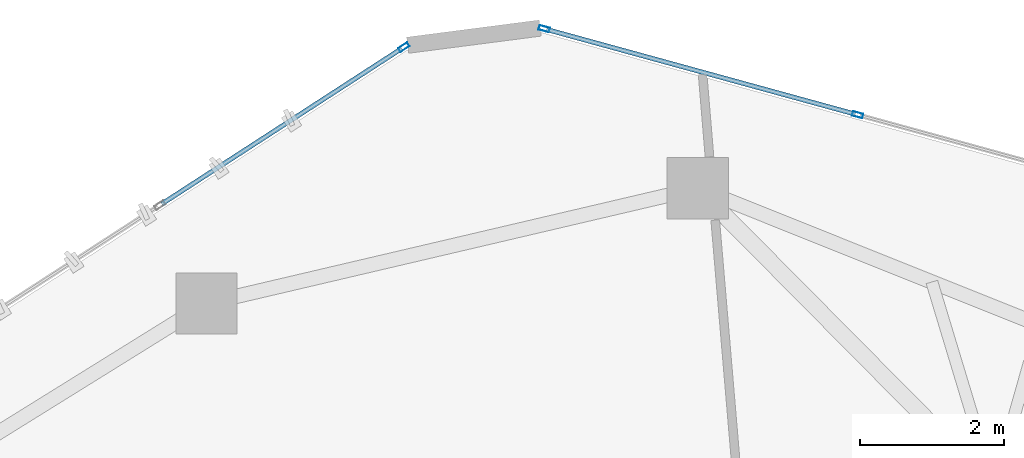
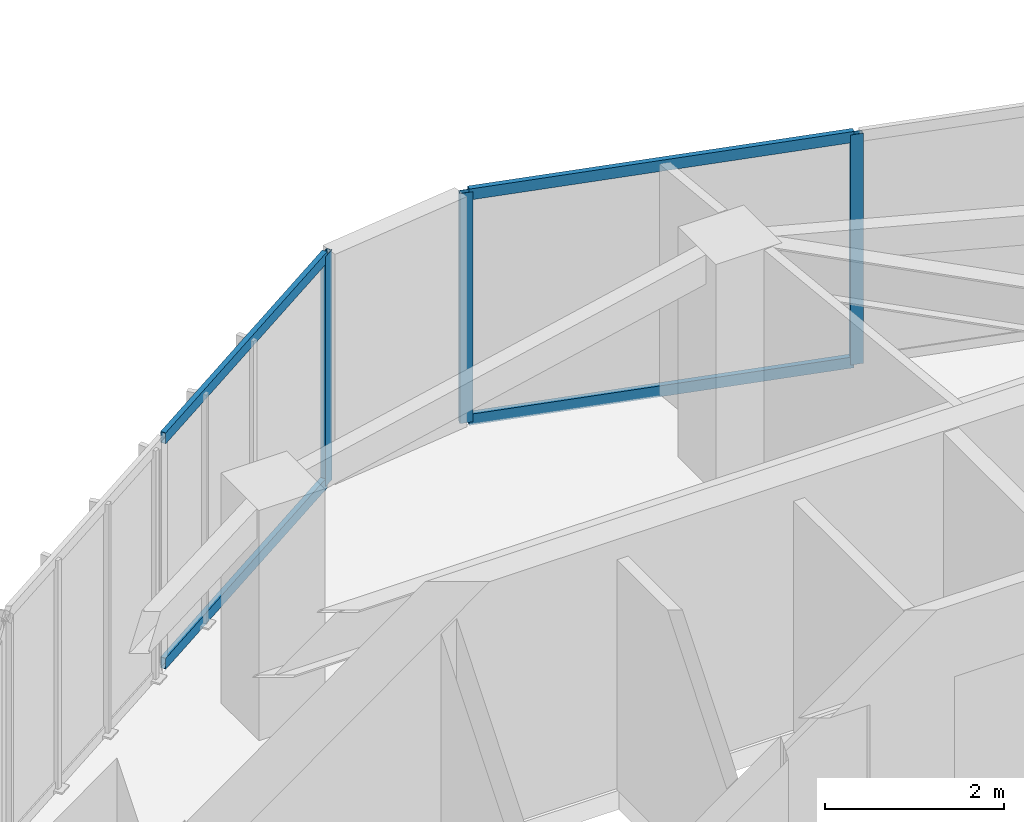
# One storey, part 15 of 20: 7 members, 2 elements without a shape of their own.
"""IFC4 building model written with IfcOpenShell, lengths in metres."""

from ifc_helpers import new_model, si_unit, direction, frame, origin, origin_2d, place, context, subcontext, project, spatial, hollow_rectangle, extrude, source, transform, mapped, material, layer, layer_set, material_profile, profile_set, type_object, type_shapes, element, aggregate, save


model = new_model("IFC4")

# Units and contexts
model_context = context("Model", 3, precision=1e-05, world=origin(), true_north=direction((0.0, 1.0)))
body_context = subcontext(model_context, "Body", "Model", "MODEL_VIEW")
ifc_project = project(units=[si_unit("LENGTHUNIT", "METRE"), si_unit("AREAUNIT", "SQUARE_METRE"), si_unit("VOLUMEUNIT", "CUBIC_METRE"), si_unit("PLANEANGLEUNIT", "RADIAN"), si_unit("MASSUNIT", "GRAM", prefix="KILO")], contexts=[model_context])

# Site, building, storey
site_placement = place(None, origin())
site = spatial("IfcSite", under=ifc_project, at=site_placement, CompositionType="ELEMENT")
building_placement = place(site_placement, origin())
building = spatial("IfcBuilding", under=site, at=building_placement, Name="Talar Marvaseh", CompositionType="ELEMENT")
storey_placement = place(building_placement, frame((0.0, 0.0, 247.60009765625)))
storey = spatial("IfcBuildingStorey", under=building, at=storey_placement, Name="L65", CompositionType="ELEMENT", Elevation=247.60009765625)

# Curtain wall, member
ifc_material = material(Name="Architectural Aluminium", Category="aluminium")
ifc_layer = layer(ifc_material, 0.179931640625)
ifc_layer_set = layer_set([ifc_layer], Name="Architectural Aluminium")
curtain_wall_type = type_object("IfcCurtainWallType", Name="Unitised High-Wind Sky Curtain Wall Z4", PredefinedType="NOTDEFINED", material=ifc_layer_set)
curtain_wall_1_placement = place(storey_placement, origin())
curtain_wall_1 = element("IfcCurtainWall", 1, at=curtain_wall_1_placement, inside=storey, type_object=curtain_wall_type, Name="L65 Unitised High-Wind Sky Curtain Wall Z4", PredefinedType="NOTDEFINED")
ifc_material_profile_1 = material_profile(ifc_material, hollow_rectangle(XDim=0.06494140625, YDim=0.14990234375, WallThickness=0.00390625, at=origin_2d()), Name="RHS150x65x4")
ifc_profile_set_1 = profile_set([ifc_material_profile_1], Name="Architectural Aluminium")
member_type_1 = type_object("IfcMemberType", Name="Unitised Curtain Wall Slim Mullion RHS150x65x4", PredefinedType="MULLION", material=ifc_profile_set_1)
shared_shape_1 = source(origin(), body_context, "Body", "SweptSolid", [
    extrude(hollow_rectangle(XDim=0.06494140625, YDim=0.14990234375, WallThickness=0.00390625, at=origin_2d()), origin(), (0.0, 0.0, 1.0), 3.139892578125),
])
type_shapes(member_type_1, [shared_shape_1])
member_1_placement = place(storey_placement, frame((25.10693359375, 43.011962890625, 0.0), z_axis=(0.0, 0.0, 1.0), x_axis=(-0.543646288387, 0.839314430427, 0.0)))
member_1 = element("IfcMember", 2, at=member_1_placement, type_object=member_type_1, Name="CW-Z4 mullion 4", PredefinedType="MULLION", context=body_context, shape_type="MappedRepresentation", body=[
    mapped(shared_shape_1, transform((0.0, 0.0, 0.0), x_axis=(1.0, 0.0, 0.0), y_axis=(0.0, 1.0, 0.0), z_axis=(0.0, 0.0, 1.0), scale=1.0)),
])

# Curtain wall, members
curtain_wall_2_placement = place(storey_placement, origin())
curtain_wall_2 = element("IfcCurtainWall", 3, at=curtain_wall_2_placement, inside=storey, type_object=curtain_wall_type, Name="L65 Unitised High-Wind Sky Curtain Wall Z4", PredefinedType="NOTDEFINED")
member_2_placement = place(storey_placement, frame((27.055419921875, 43.266845703125, 0.0), z_axis=(0.0, 0.0, 1.0), x_axis=(0.264649312974, 0.964344721115, 0.0)))
member_2 = element("IfcMember", 4, at=member_2_placement, type_object=member_type_1, Name="CW-Z4 mullion 1", PredefinedType="MULLION", context=body_context, shape_type="MappedRepresentation", body=[
    mapped(shared_shape_1, transform((0.0, 0.0, 0.0), x_axis=(1.0, 0.0, 0.0), y_axis=(0.0, 1.0, 0.0), z_axis=(0.0, 0.0, 1.0), scale=1.0)),
])
member_3_placement = place(storey_placement, frame((31.40673828125, 42.072509765625, 0.0), z_axis=(0.0, 0.0, 1.0), x_axis=(0.264649312974, 0.964344721115, 0.0)))
member_3 = element("IfcMember", 5, at=member_3_placement, type_object=member_type_1, Name="CW-Z4 mullion 2", PredefinedType="MULLION", context=body_context, shape_type="MappedRepresentation", body=[
    mapped(shared_shape_1, transform((0.0, 0.0, 0.0), x_axis=(1.0, 0.0, 0.0), y_axis=(0.0, 1.0, 0.0), z_axis=(0.0, 0.0, 1.0), scale=1.0)),
])
ifc_material_profile_2 = material_profile(ifc_material, hollow_rectangle(XDim=0.06494140625, YDim=0.14990234375, WallThickness=0.00390625, at=origin_2d()), Name="RHS150x65x4")
ifc_profile_set_2 = profile_set([ifc_material_profile_2], Name="Architectural Aluminium")
member_type_2 = type_object("IfcMemberType", Name="Unitised Curtain Wall Slim Transom RHS150x65x4", PredefinedType="USERDEFINED", material=ifc_profile_set_2)
shared_shape_2 = source(origin(), body_context, "Body", "SweptSolid", [
    extrude(hollow_rectangle(XDim=0.06494140625, YDim=0.14990234375, WallThickness=0.00390625, at=origin_2d()), origin(), (0.0, 0.0, 1.0), 4.447509765625),
])
member_4_placement = place(storey_placement, frame((27.086669921875, 43.25830078125, 0.032470703125), z_axis=(0.964344555213, -0.264649917498, 0.0), x_axis=(0.264649917498, 0.964344555213, 0.0)))
member_4 = element("IfcMember", 6, at=member_4_placement, type_object=member_type_2, Name="CW-Z4 transom 1.1", ObjectType="TRANSOM", PredefinedType="USERDEFINED", context=body_context, shape_type="MappedRepresentation", body=[
    mapped(shared_shape_2, transform((0.0, 0.0, 0.0), x_axis=(1.0, 0.0, 0.0), y_axis=(0.0, 1.0, 0.0), z_axis=(0.0, 0.0, 1.0), scale=1.0)),
])
member_5_placement = place(storey_placement, frame((27.086669921875, 43.25830078125, 3.107421875), z_axis=(0.964344555213, -0.264649917498, 0.0), x_axis=(0.264649917498, 0.964344555213, 0.0)))
member_5 = element("IfcMember", 7, at=member_5_placement, type_object=member_type_2, Name="CW-Z4 transom 1.2", ObjectType="TRANSOM", PredefinedType="USERDEFINED", context=body_context, shape_type="MappedRepresentation", body=[
    mapped(shared_shape_2, transform((0.0, 0.0, 0.0), x_axis=(1.0, 0.0, 0.0), y_axis=(0.0, 1.0, 0.0), z_axis=(0.0, 0.0, 1.0), scale=1.0)),
])
aggregate(curtain_wall_2, [member_2, member_3, member_4, member_5])

# Member
shared_shape_3 = source(origin(), body_context, "Body", "SweptSolid", [
    extrude(hollow_rectangle(XDim=0.06494140625, YDim=0.14990234375, WallThickness=0.00390625, at=origin_2d()), origin(), (0.0, 0.0, 1.0), 3.97119140625),
])
type_shapes(member_type_2, [shared_shape_2, shared_shape_3])
member_6_placement = place(storey_placement, frame((21.746826171875, 40.83544921875, 0.032470703125), z_axis=(0.839307799998, 0.543656524713, 0.0), x_axis=(-0.543656524713, 0.839307799998, 0.0)))
member_6 = element("IfcMember", 8, at=member_6_placement, type_object=member_type_2, Name="CW-Z4 transom 3.1", ObjectType="TRANSOM", PredefinedType="USERDEFINED", context=body_context, shape_type="MappedRepresentation", body=[
    mapped(shared_shape_3, transform((0.0, 0.0, 0.0), x_axis=(1.0, 0.0, 0.0), y_axis=(0.0, 1.0, 0.0), z_axis=(0.0, 0.0, 1.0), scale=1.0)),
])

member_7_placement = place(storey_placement, frame((21.746826171875, 40.83544921875, 3.107421875), z_axis=(0.839307799998, 0.543656524713, 0.0), x_axis=(-0.543656524713, 0.839307799998, 0.0)))
member_7 = element("IfcMember", 9, at=member_7_placement, type_object=member_type_2, Name="CW-Z4 transom 3.2", ObjectType="TRANSOM", PredefinedType="USERDEFINED", context=body_context, shape_type="MappedRepresentation", body=[
    mapped(shared_shape_3, transform((0.0, 0.0, 0.0), x_axis=(1.0, 0.0, 0.0), y_axis=(0.0, 1.0, 0.0), z_axis=(0.0, 0.0, 1.0), scale=1.0)),
])

aggregate(curtain_wall_1, [member_1, member_6, member_7])

save(model, "model.ifc")
